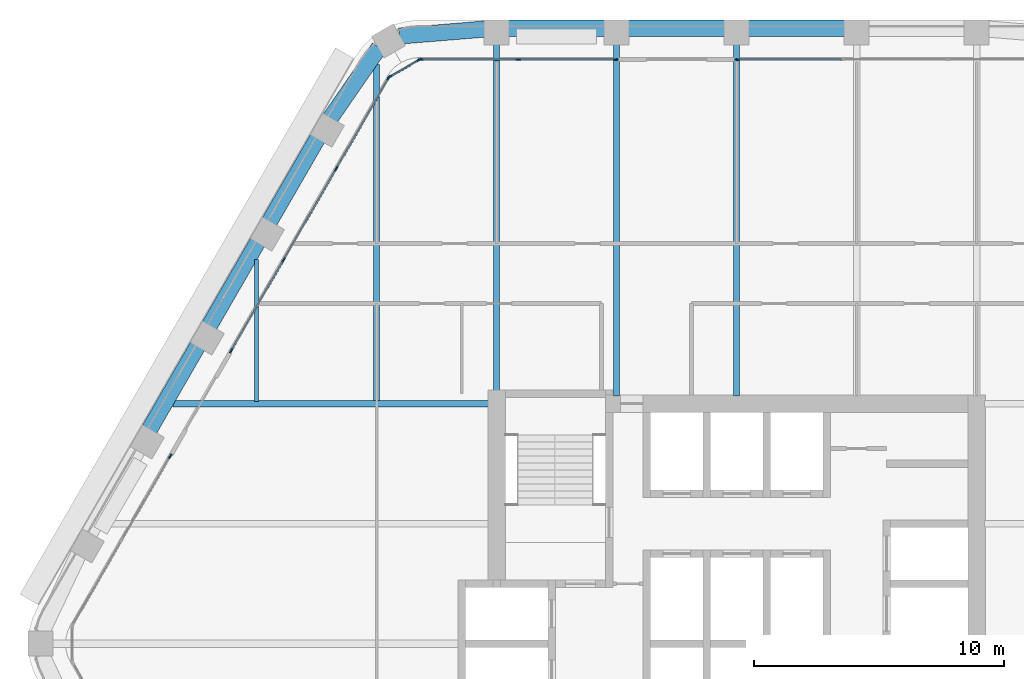
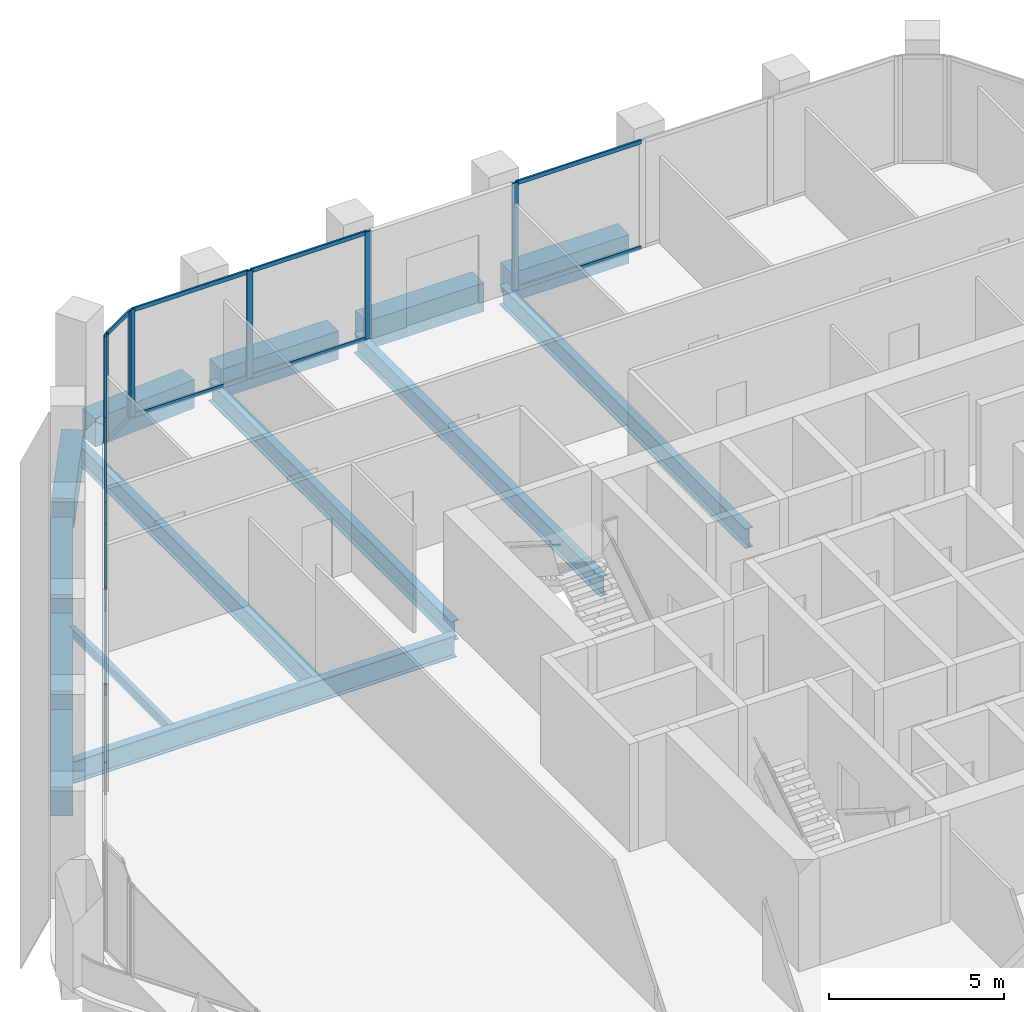
# One storey, part 5 of 15: 25 members, 14 beams, 5 elements without a shape of their own.
"""IFC4 building model written with IfcOpenShell, lengths in metres."""

from ifc_helpers import new_model, si_unit, direction, frame, origin, origin_2d, place, context, subcontext, project, spatial, rectangle, i_section, extrude, material, material_profile, profile_set, type_object, element, aggregate, save


model = new_model("IFC4")

# Units and contexts
model_context = context("Model", 3, precision=1e-05, world=origin(), true_north=direction((0.0, 1.0)))
body_context = subcontext(model_context, "Body", "Model", "MODEL_VIEW")
ifc_project = project(units=[si_unit("LENGTHUNIT", "METRE"), si_unit("AREAUNIT", "SQUARE_METRE"), si_unit("VOLUMEUNIT", "CUBIC_METRE"), si_unit("PLANEANGLEUNIT", "RADIAN"), si_unit("MASSUNIT", "GRAM", prefix="KILO")], contexts=[model_context])

# Site, building, storey
site_placement = place(None, origin())
site = spatial("IfcSite", under=ifc_project, at=site_placement, CompositionType="ELEMENT")
building_placement = place(site_placement, origin())
building = spatial("IfcBuilding", under=site, at=building_placement, Name="Kolab Exchange Tower", CompositionType="ELEMENT")
storey_placement = place(building_placement, frame((0.0, 0.0, 201.199951171875)))
storey = spatial("IfcBuildingStorey", under=building, at=storey_placement, Name="L43", CompositionType="ELEMENT", Elevation=201.199951171875)

# Beams
ifc_material_1 = material(Name="Steel S355", Category="steel")
ifc_material_profile_1 = material_profile(ifc_material_1, i_section(OverallWidth=0.1650390625, OverallDepth=0.31005859375, WebThickness=0.005859375, FlangeThickness=0.009765625, at=origin_2d()), Name="W310X39")
ifc_profile_set_1 = profile_set([ifc_material_profile_1], Name="Steel S355")
beam_type_1 = type_object("IfcBeamType", Name="FLOOR BEAM W310X39", PredefinedType="BEAM", material=ifc_profile_set_1)
beam_1_placement = place(storey_placement, frame((-19.199951171875, 9.693603515625, -0.304931640625), z_axis=(0.0, 1.0, 0.0), x_axis=(-1.0, 0.0, 0.0)))
element("IfcBeam", 1, at=beam_1_placement, inside=storey, type_object=beam_type_1, Name="beam/L43/fr/004", PredefinedType="BEAM", context=body_context, shape_type="SweptSolid", body=[
    extrude(i_section(OverallWidth=0.1650390625, OverallDepth=0.31005859375, WebThickness=0.005859375, FlangeThickness=0.009765625, at=origin_2d()), origin(), (0.0, 0.0, 1.0), 5.674072265625),
])
ifc_material_profile_2 = material_profile(ifc_material_1, i_section(OverallWidth=0.25390625, OverallDepth=0.68408203125, WebThickness=0.012451171875, FlangeThickness=0.018798828125, at=origin_2d()), Name="W690X140")
ifc_profile_set_2 = profile_set([ifc_material_profile_2], Name="Steel S355")
beam_type_2 = type_object("IfcBeamType", Name="FLOOR BEAM W690X140", PredefinedType="BEAM", material=ifc_profile_set_2)
beam_2_placement = place(storey_placement, frame((-14.39990234375, 9.693603515625, -0.491943359375), z_axis=(0.0, 1.0, 0.0), x_axis=(-1.0, 0.0, 0.0)))
element("IfcBeam", 2, at=beam_2_placement, inside=storey, type_object=beam_type_2, Name="beam/L43/fr/006", PredefinedType="BEAM", context=body_context, shape_type="SweptSolid", body=[
    extrude(i_section(OverallWidth=0.25390625, OverallDepth=0.68408203125, WebThickness=0.012451171875, FlangeThickness=0.018798828125, at=origin_2d()), origin(), (0.0, 0.0, 1.0), 13.462158203125),
])
beam_3_placement = place(storey_placement, frame((-9.60009765625, 10.110107421875, -0.491943359375), z_axis=(0.0, 1.0, 0.0), x_axis=(-1.0, 0.0, 0.0)))
element("IfcBeam", 3, at=beam_3_placement, inside=storey, type_object=beam_type_2, Name="beam/L43/fr/008", PredefinedType="BEAM", context=body_context, shape_type="SweptSolid", body=[
    extrude(i_section(OverallWidth=0.25390625, OverallDepth=0.68408203125, WebThickness=0.012451171875, FlangeThickness=0.018798828125, at=origin_2d()), origin(), (0.0, 0.0, 1.0), 13.871337890625),
])
for number, where, z_axis, x_axis, name in (
    (4, (-4.800048828125, 9.909912109375, -0.491943359375), (0.0, 1.0, 0.0), (-1.0, 0.0, 0.0), "beam/L43/fr/010"),
    (5, (0.0, 9.909912109375, -0.491943359375), (0.0, 1.0, 0.0), (-1.0, 0.0, 0.0), "beam/L43/fr/012"),
):
    element("IfcBeam", number, at=place(storey_placement, frame(where, z_axis=z_axis, x_axis=x_axis)), inside=storey, type_object=beam_type_2, Name=name, PredefinedType="BEAM", context=body_context, shape_type="SweptSolid", body=[
        extrude(i_section(OverallWidth=0.25390625, OverallDepth=0.68408203125, WebThickness=0.012451171875, FlangeThickness=0.018798828125, at=origin_2d()), origin(), (0.0, 0.0, 1.0), 14.071533203125),
    ])
ifc_material_profile_3 = material_profile(ifc_material_1, i_section(OverallWidth=0.26708984375, OverallDepth=0.761962890625, WebThickness=0.014404296875, FlangeThickness=0.021484375, at=origin_2d()), Name="W760X173")
ifc_profile_set_3 = profile_set([ifc_material_profile_3], Name="Steel S355")
beam_type_3 = type_object("IfcBeamType", Name="FLOOR GIRDER W760X173", PredefinedType="BEAM", material=ifc_profile_set_3)
beam_4_placement = place(storey_placement, frame((-22.546875, 9.60009765625, -0.531005859375), z_axis=(1.0, 0.0, 0.0), x_axis=(0.0, 1.0, 0.0)))
element("IfcBeam", 6, at=beam_4_placement, inside=storey, type_object=beam_type_3, Name="beam/L43/gd/001", PredefinedType="BEAM", context=body_context, shape_type="SweptSolid", body=[
    extrude(i_section(OverallWidth=0.26708984375, OverallDepth=0.761962890625, WebThickness=0.014404296875, FlangeThickness=0.021484375, at=origin_2d()), origin(), (0.0, 0.0, 1.0), 12.636962890625),
])
ifc_material_2 = material(Name="Concrete C60/75", Category="concrete")
ifc_material_profile_4 = material_profile(ifc_material_2, rectangle(XDim=0.64990234375, YDim=1.0, at=origin_2d()), Name="RC650X1000")
ifc_profile_set_4 = profile_set([ifc_material_profile_4], Name="Concrete C60/75")
beam_type_4 = type_object("IfcBeamType", Name="SPANDREL BEAM 650X1000 C60/75", PredefinedType="BEAM", material=ifc_profile_set_4)
beam_5_placement = place(storey_placement, frame((-13.493896484375, 24.2998046875, -0.64990234375), z_axis=(0.996708497182, 0.081068931445, 0.0), x_axis=(-0.081068931445, 0.996708497182, 0.0)))
element("IfcBeam", 7, at=beam_5_placement, inside=storey, type_object=beam_type_4, Name="beam/L43/sp/F1-01", PredefinedType="BEAM", context=body_context, shape_type="SweptSolid", body=[
    extrude(rectangle(XDim=0.64990234375, YDim=1.0, at=origin_2d()), origin(), (0.0, 0.0, 1.0), 3.445068359375),
])
beam_6_placement = place(storey_placement, frame((-9.139892578125, 24.616455078125, -0.64990234375), z_axis=(1.0, 0.0, 0.0), x_axis=(0.0, 1.0, 0.0)))
element("IfcBeam", 8, at=beam_6_placement, inside=storey, type_object=beam_type_4, Name="beam/L43/sp/F1-02", PredefinedType="BEAM", context=body_context, shape_type="SweptSolid", body=[
    extrude(rectangle(XDim=0.64990234375, YDim=1.0, at=origin_2d()), origin(), (0.0, 0.0, 1.0), 3.8798828125),
])
for number, where, z_axis, x_axis, name in (
    (9, (-4.340087890625, 24.616455078125, -0.64990234375), (1.0, 0.0, 0.0), (0.0, 1.0, 0.0), "beam/L43/sp/F1-03"),
    (10, (0.4599609375, 24.616455078125, -0.64990234375), (1.0, 0.0, 0.0), (0.0, 1.0, 0.0), "beam/L43/sp/F1-04"),
):
    element("IfcBeam", number, at=place(storey_placement, frame(where, z_axis=z_axis, x_axis=x_axis)), inside=storey, type_object=beam_type_4, Name=name, PredefinedType="BEAM", context=body_context, shape_type="SweptSolid", body=[
        extrude(rectangle(XDim=0.64990234375, YDim=1.0, at=origin_2d()), origin(), (0.0, 0.0, 1.0), 3.880126953125),
    ])
beam_7_placement = place(storey_placement, frame((-23.488525390625, 8.5498046875, -0.64990234375), z_axis=(0.499996613652, 0.866027358884, 0.0), x_axis=(-0.866027358884, 0.499996613652, 0.0)))
element("IfcBeam", 11, at=beam_7_placement, inside=storey, type_object=beam_type_4, Name="beam/L43/sp/F6-03", PredefinedType="BEAM", context=body_context, shape_type="SweptSolid", body=[
    extrude(rectangle(XDim=0.64990234375, YDim=1.0, at=origin_2d()), origin(), (0.0, 0.0, 1.0), 3.8798828125),
])
beam_8_placement = place(storey_placement, frame((-21.088623046875, 12.70654296875, -0.64990234375), z_axis=(0.50001655835, 0.866015843605, 0.0), x_axis=(-0.866015843605, 0.50001655835, 0.0)))
element("IfcBeam", 12, at=beam_8_placement, inside=storey, type_object=beam_type_4, Name="beam/L43/sp/F6-04", PredefinedType="BEAM", context=body_context, shape_type="SweptSolid", body=[
    extrude(rectangle(XDim=0.64990234375, YDim=1.0, at=origin_2d()), origin(), (0.0, 0.0, 1.0), 3.880126953125),
])
beam_9_placement = place(storey_placement, frame((-18.6884765625, 16.863525390625, -0.64990234375), z_axis=(0.499996613652, 0.866027358884, 0.0), x_axis=(-0.866027358884, 0.499996613652, 0.0)))
element("IfcBeam", 13, at=beam_9_placement, inside=storey, type_object=beam_type_4, Name="beam/L43/sp/F6-05", PredefinedType="BEAM", context=body_context, shape_type="SweptSolid", body=[
    extrude(rectangle(XDim=0.64990234375, YDim=1.0, at=origin_2d()), origin(), (0.0, 0.0, 1.0), 3.8798828125),
])
beam_10_placement = place(storey_placement, frame((-16.256103515625, 21.001953125, -0.64990234375), z_axis=(0.568572281073, 0.822633309073, 0.0), x_axis=(-0.822633309073, 0.568572281073, 0.0)))
element("IfcBeam", 14, at=beam_10_placement, inside=storey, type_object=beam_type_4, Name="beam/L43/sp/F6-06", PredefinedType="BEAM", context=body_context, shape_type="SweptSolid", body=[
    extrude(rectangle(XDim=0.64990234375, YDim=1.0, at=origin_2d()), origin(), (0.0, 0.0, 1.0), 3.445068359375),
])

# Curtain wall, members
ifc_material_3 = material(Name="Aluminium EN AW-6063 T6", Category="aluminium")
curtain_wall_type = type_object("IfcCurtainWallType", Name="UNITISED UPPER MID ZONE CURTAIN WALL", PredefinedType="NOTDEFINED", material=ifc_material_3)
curtain_wall_1_placement = place(storey_placement, origin())
curtain_wall_1 = element("IfcCurtainWall", 15, at=curtain_wall_1_placement, inside=storey, type_object=curtain_wall_type, Name="cw/L43/F1-1", PredefinedType="NOTDEFINED")
ifc_material_profile_5 = material_profile(ifc_material_3, rectangle(XDim=0.06005859375, YDim=0.199951171875, at=origin_2d()), Name="RECT 60X200")
ifc_profile_set_5 = profile_set([ifc_material_profile_5], Name="Aluminium EN AW-6063 T6")
member_type_1 = type_object("IfcMemberType", Name="UNITISED UPPER MID ZONE MULLION 60 X 200", PredefinedType="MULLION", material=ifc_profile_set_5)
member_1_placement = place(storey_placement, frame((-12.637939453125, 23.361572265625, 0.0), z_axis=(0.0, 0.0, 1.0), x_axis=(0.0, 1.0, 0.0)))
member_1 = element("IfcMember", 16, at=member_1_placement, type_object=member_type_1, Name="CW3 mullion 1", PredefinedType="MULLION", context=body_context, shape_type="SweptSolid", body=[
    extrude(rectangle(XDim=0.06005859375, YDim=0.199951171875, at=origin_2d()), origin(), (0.0, 0.0, 1.0), 3.75),
])
member_2_placement = place(storey_placement, frame((-8.73388671875, 23.361572265625, 0.0), z_axis=(0.0, 0.0, 1.0), x_axis=(0.0, 1.0, 0.0)))
member_2 = element("IfcMember", 17, at=member_2_placement, type_object=member_type_1, Name="CW3 mullion 2", PredefinedType="MULLION", context=body_context, shape_type="SweptSolid", body=[
    extrude(rectangle(XDim=0.06005859375, YDim=0.199951171875, at=origin_2d()), origin(), (0.0, 0.0, 1.0), 3.75),
])
member_3_placement = place(storey_placement, frame((-4.830078125, 23.361572265625, 0.0), z_axis=(0.0, 0.0, 1.0), x_axis=(0.0, 1.0, 0.0)))
member_3 = element("IfcMember", 18, at=member_3_placement, type_object=member_type_1, Name="CW3 mullion 3", PredefinedType="MULLION", context=body_context, shape_type="SweptSolid", body=[
    extrude(rectangle(XDim=0.06005859375, YDim=0.199951171875, at=origin_2d()), origin(), (0.0, 0.0, 1.0), 3.75),
])

# Curtain wall, member
curtain_wall_2_placement = place(storey_placement, origin())
curtain_wall_2 = element("IfcCurtainWall", 19, at=curtain_wall_2_placement, inside=storey, type_object=curtain_wall_type, Name="cw/L43/F1-2", PredefinedType="NOTDEFINED")
member_4_placement = place(storey_placement, frame((0.030029296875, 23.361572265625, 0.0), z_axis=(0.0, 0.0, 1.0), x_axis=(0.0, 1.0, 0.0)))
member_4 = element("IfcMember", 20, at=member_4_placement, type_object=member_type_1, Name="CW3 mullion 1", PredefinedType="MULLION", context=body_context, shape_type="SweptSolid", body=[
    extrude(rectangle(XDim=0.06005859375, YDim=0.199951171875, at=origin_2d()), origin(), (0.0, 0.0, 1.0), 3.75),
])

curtain_wall_3_placement = place(storey_placement, origin())
curtain_wall_3 = element("IfcCurtainWall", 21, at=curtain_wall_3_placement, inside=storey, type_object=curtain_wall_type, Name="cw/L43/F6-1", PredefinedType="NOTDEFINED")
member_5_placement = place(storey_placement, frame((-22.646728515625, 7.497802734375, 0.0), z_axis=(0.0, 0.0, 1.0), x_axis=(-0.866025440524, 0.499999936366, 0.0)))
member_5 = element("IfcMember", 22, at=member_5_placement, type_object=member_type_1, Name="CW3 mullion 3", PredefinedType="MULLION", context=body_context, shape_type="SweptSolid", body=[
    extrude(rectangle(XDim=0.06005859375, YDim=0.199951171875, at=origin_2d()), origin(), (0.0, 0.0, 1.0), 3.75),
])
aggregate(curtain_wall_3, [member_5])

# Curtain wall, members
curtain_wall_4_placement = place(storey_placement, origin())
curtain_wall_4 = element("IfcCurtainWall", 23, at=curtain_wall_4_placement, inside=storey, type_object=curtain_wall_type, Name="cw/L43/F6-2", PredefinedType="NOTDEFINED")
member_6_placement = place(storey_placement, frame((-20.216796875, 11.706787109375, 0.0), z_axis=(0.0, 0.0, 1.0), x_axis=(-0.866025393644, 0.500000017564, 0.0)))
member_6 = element("IfcMember", 24, at=member_6_placement, type_object=member_type_1, Name="CW3 mullion 1", PredefinedType="MULLION", context=body_context, shape_type="SweptSolid", body=[
    extrude(rectangle(XDim=0.06005859375, YDim=0.199951171875, at=origin_2d()), origin(), (0.0, 0.0, 1.0), 3.75),
])
member_7_placement = place(storey_placement, frame((-18.120361328125, 15.337646484375, 0.0), z_axis=(0.0, 0.0, 1.0), x_axis=(-0.866025393644, 0.500000017564, 0.0)))
member_7 = element("IfcMember", 25, at=member_7_placement, type_object=member_type_1, Name="CW3 mullion 2", PredefinedType="MULLION", context=body_context, shape_type="SweptSolid", body=[
    extrude(rectangle(XDim=0.06005859375, YDim=0.199951171875, at=origin_2d()), origin(), (0.0, 0.0, 1.0), 3.75),
])
member_8_placement = place(storey_placement, frame((-16.009033203125, 18.99462890625, 0.0), z_axis=(0.0, 0.0, 1.0), x_axis=(-0.866025393644, 0.500000017564, 0.0)))
member_8 = element("IfcMember", 26, at=member_8_placement, type_object=member_type_1, Name="CW3 mullion 3", PredefinedType="MULLION", context=body_context, shape_type="SweptSolid", body=[
    extrude(rectangle(XDim=0.06005859375, YDim=0.199951171875, at=origin_2d()), origin(), (0.0, 0.0, 1.0), 3.75),
])
member_9_placement = place(storey_placement, frame((-13.91259765625, 22.62548828125, 0.0), z_axis=(0.0, 0.0, 1.0), x_axis=(-0.866025393644, 0.500000017564, 0.0)))
member_9 = element("IfcMember", 27, at=member_9_placement, type_object=member_type_1, Name="CW3 mullion 4", PredefinedType="MULLION", context=body_context, shape_type="SweptSolid", body=[
    extrude(rectangle(XDim=0.06005859375, YDim=0.199951171875, at=origin_2d()), origin(), (0.0, 0.0, 1.0), 3.75),
])

curtain_wall_5_placement = place(storey_placement, origin())
curtain_wall_5 = element("IfcCurtainWall", 28, at=curtain_wall_5_placement, inside=storey, type_object=curtain_wall_type, Name="cw/L43/F6F1-corner", PredefinedType="NOTDEFINED")
member_10_placement = place(storey_placement, frame((-13.871826171875, 22.66650390625, 0.0), z_axis=(0.0, 0.0, 1.0), x_axis=(-0.50000002237, 0.866025390869, 0.0)))
member_10 = element("IfcMember", 29, at=member_10_placement, type_object=member_type_1, Name="CW3 mullion 1", PredefinedType="MULLION", context=body_context, shape_type="SweptSolid", body=[
    extrude(rectangle(XDim=0.06005859375, YDim=0.199951171875, at=origin_2d()), origin(), (0.0, 0.0, 1.0), 3.75),
])
member_11_placement = place(storey_placement, frame((-12.69384765625, 23.346435546875, 0.0), z_axis=(0.0, 0.0, 1.0), x_axis=(-0.50000002237, 0.866025390869, 0.0)))
member_11 = element("IfcMember", 30, at=member_11_placement, type_object=member_type_1, Name="CW3 mullion 2", PredefinedType="MULLION", context=body_context, shape_type="SweptSolid", body=[
    extrude(rectangle(XDim=0.06005859375, YDim=0.199951171875, at=origin_2d()), origin(), (0.0, 0.0, 1.0), 3.75),
])

# Member
ifc_material_profile_6 = material_profile(ifc_material_3, rectangle(XDim=0.06005859375, YDim=0.139892578125, at=origin_2d()), Name="RECT 60X140")
ifc_profile_set_6 = profile_set([ifc_material_profile_6], Name="Aluminium EN AW-6063 T6")
member_type_2 = type_object("IfcMemberType", Name="UNITISED UPPER MID ZONE TRANSOM 60 X 140", PredefinedType="USERDEFINED", material=ifc_profile_set_6)
member_12_placement = place(storey_placement, frame((-12.60791015625, 23.361572265625, 0.030029296875), z_axis=(1.0, 0.0, 0.0), x_axis=(0.0, 1.0, 0.0)))
member_12 = element("IfcMember", 31, at=member_12_placement, type_object=member_type_2, Name="CW3 transom 1.1", ObjectType="TRANSOM", PredefinedType="USERDEFINED", context=body_context, shape_type="SweptSolid", body=[
    extrude(rectangle(XDim=0.06005859375, YDim=0.139892578125, at=origin_2d()), origin(), (0.0, 0.0, 1.0), 3.843994140625),
])

member_13_placement = place(storey_placement, frame((-12.60791015625, 23.361572265625, 3.719970703125), z_axis=(1.0, 0.0, 0.0), x_axis=(0.0, 1.0, 0.0)))
member_13 = element("IfcMember", 32, at=member_13_placement, type_object=member_type_2, Name="CW3 transom 1.2", ObjectType="TRANSOM", PredefinedType="USERDEFINED", context=body_context, shape_type="SweptSolid", body=[
    extrude(rectangle(XDim=0.06005859375, YDim=0.139892578125, at=origin_2d()), origin(), (0.0, 0.0, 1.0), 3.843994140625),
])

member_14_placement = place(storey_placement, frame((-8.703857421875, 23.361572265625, 0.030029296875), z_axis=(1.0, 0.0, 0.0), x_axis=(0.0, 1.0, 0.0)))
member_14 = element("IfcMember", 33, at=member_14_placement, type_object=member_type_2, Name="CW3 transom 2.1", ObjectType="TRANSOM", PredefinedType="USERDEFINED", context=body_context, shape_type="SweptSolid", body=[
    extrude(rectangle(XDim=0.06005859375, YDim=0.139892578125, at=origin_2d()), origin(), (0.0, 0.0, 1.0), 3.84375),
])

member_15_placement = place(storey_placement, frame((-8.703857421875, 23.361572265625, 3.719970703125), z_axis=(1.0, 0.0, 0.0), x_axis=(0.0, 1.0, 0.0)))
member_15 = element("IfcMember", 34, at=member_15_placement, type_object=member_type_2, Name="CW3 transom 2.2", ObjectType="TRANSOM", PredefinedType="USERDEFINED", context=body_context, shape_type="SweptSolid", body=[
    extrude(rectangle(XDim=0.06005859375, YDim=0.139892578125, at=origin_2d()), origin(), (0.0, 0.0, 1.0), 3.84375),
])

aggregate(curtain_wall_1, [member_1, member_2, member_3, member_12, member_13, member_14, member_15])

member_16_placement = place(storey_placement, frame((0.06005859375, 23.361572265625, 0.030029296875), z_axis=(1.0, 0.0, 0.0), x_axis=(0.0, 1.0, 0.0)))
member_16 = element("IfcMember", 35, at=member_16_placement, type_object=member_type_2, Name="CW3 transom 1.1", ObjectType="TRANSOM", PredefinedType="USERDEFINED", context=body_context, shape_type="SweptSolid", body=[
    extrude(rectangle(XDim=0.06005859375, YDim=0.139892578125, at=origin_2d()), origin(), (0.0, 0.0, 1.0), 4.132568359375),
])

member_17_placement = place(storey_placement, frame((0.06005859375, 23.361572265625, 3.719970703125), z_axis=(1.0, 0.0, 0.0), x_axis=(0.0, 1.0, 0.0)))
member_17 = element("IfcMember", 36, at=member_17_placement, type_object=member_type_2, Name="CW3 transom 1.2", ObjectType="TRANSOM", PredefinedType="USERDEFINED", context=body_context, shape_type="SweptSolid", body=[
    extrude(rectangle(XDim=0.06005859375, YDim=0.139892578125, at=origin_2d()), origin(), (0.0, 0.0, 1.0), 4.132568359375),
])

aggregate(curtain_wall_2, [member_4, member_16, member_17])

member_18_placement = place(storey_placement, frame((-20.20166015625, 11.732666015625, 0.030029296875), z_axis=(0.500001996123, 0.866024251319, 0.0), x_axis=(-0.866024251319, 0.500001996123, 0.0)))
member_18 = element("IfcMember", 37, at=member_18_placement, type_object=member_type_2, Name="CW3 transom 1.1", ObjectType="TRANSOM", PredefinedType="USERDEFINED", context=body_context, shape_type="SweptSolid", body=[
    extrude(rectangle(XDim=0.06005859375, YDim=0.139892578125, at=origin_2d()), origin(), (0.0, 0.0, 1.0), 4.1328125),
])

member_19_placement = place(storey_placement, frame((-20.20166015625, 11.732666015625, 3.719970703125), z_axis=(0.500001996123, 0.866024251319, 0.0), x_axis=(-0.866024251319, 0.500001996123, 0.0)))
member_19 = element("IfcMember", 38, at=member_19_placement, type_object=member_type_2, Name="CW3 transom 1.2", ObjectType="TRANSOM", PredefinedType="USERDEFINED", context=body_context, shape_type="SweptSolid", body=[
    extrude(rectangle(XDim=0.06005859375, YDim=0.139892578125, at=origin_2d()), origin(), (0.0, 0.0, 1.0), 4.1328125),
])

member_20_placement = place(storey_placement, frame((-18.10546875, 15.36376953125, 0.030029296875), z_axis=(0.500037208726, 0.86600392025, 0.0), x_axis=(-0.86600392025, 0.500037208726, 0.0)))
member_20 = element("IfcMember", 39, at=member_20_placement, type_object=member_type_2, Name="CW3 transom 2.1", ObjectType="TRANSOM", PredefinedType="USERDEFINED", context=body_context, shape_type="SweptSolid", body=[
    extrude(rectangle(XDim=0.06005859375, YDim=0.139892578125, at=origin_2d()), origin(), (0.0, 0.0, 1.0), 4.162841796875),
])

member_21_placement = place(storey_placement, frame((-18.10546875, 15.36376953125, 3.719970703125), z_axis=(0.500037208726, 0.86600392025, 0.0), x_axis=(-0.86600392025, 0.500037208726, 0.0)))
member_21 = element("IfcMember", 40, at=member_21_placement, type_object=member_type_2, Name="CW3 transom 2.2", ObjectType="TRANSOM", PredefinedType="USERDEFINED", context=body_context, shape_type="SweptSolid", body=[
    extrude(rectangle(XDim=0.06005859375, YDim=0.139892578125, at=origin_2d()), origin(), (0.0, 0.0, 1.0), 4.162841796875),
])

member_22_placement = place(storey_placement, frame((-15.994140625, 19.0205078125, 0.030029296875), z_axis=(0.500001996123, 0.866024251319, 0.0), x_axis=(-0.866024251319, 0.500001996123, 0.0)))
member_22 = element("IfcMember", 41, at=member_22_placement, type_object=member_type_2, Name="CW3 transom 3.1", ObjectType="TRANSOM", PredefinedType="USERDEFINED", context=body_context, shape_type="SweptSolid", body=[
    extrude(rectangle(XDim=0.06005859375, YDim=0.139892578125, at=origin_2d()), origin(), (0.0, 0.0, 1.0), 4.1328125),
])

member_23_placement = place(storey_placement, frame((-15.994140625, 19.0205078125, 3.719970703125), z_axis=(0.500001996123, 0.866024251319, 0.0), x_axis=(-0.866024251319, 0.500001996123, 0.0)))
member_23 = element("IfcMember", 42, at=member_23_placement, type_object=member_type_2, Name="CW3 transom 3.2", ObjectType="TRANSOM", PredefinedType="USERDEFINED", context=body_context, shape_type="SweptSolid", body=[
    extrude(rectangle(XDim=0.06005859375, YDim=0.139892578125, at=origin_2d()), origin(), (0.0, 0.0, 1.0), 4.1328125),
])

aggregate(curtain_wall_4, [member_6, member_7, member_8, member_9, member_18, member_19, member_20, member_21, member_22, member_23])

member_24_placement = place(storey_placement, frame((-13.845703125, 22.681640625, 0.030029296875), z_axis=(0.86603858612, 0.49997716683, 0.0), x_axis=(-0.49997716683, 0.86603858612, 0.0)))
member_24 = element("IfcMember", 43, at=member_24_placement, type_object=member_type_2, Name="CW3 transom 1.1", ObjectType="TRANSOM", PredefinedType="USERDEFINED", context=body_context, shape_type="SweptSolid", body=[
    extrude(rectangle(XDim=0.06005859375, YDim=0.139892578125, at=origin_2d()), origin(), (0.0, 0.0, 1.0), 1.2998046875),
])

member_25_placement = place(storey_placement, frame((-13.845703125, 22.681640625, 3.719970703125), z_axis=(0.86603858612, 0.49997716683, 0.0), x_axis=(-0.49997716683, 0.86603858612, 0.0)))
member_25 = element("IfcMember", 44, at=member_25_placement, type_object=member_type_2, Name="CW3 transom 1.2", ObjectType="TRANSOM", PredefinedType="USERDEFINED", context=body_context, shape_type="SweptSolid", body=[
    extrude(rectangle(XDim=0.06005859375, YDim=0.139892578125, at=origin_2d()), origin(), (0.0, 0.0, 1.0), 1.2998046875),
])

aggregate(curtain_wall_5, [member_10, member_11, member_24, member_25])

save(model, "model.ifc")
